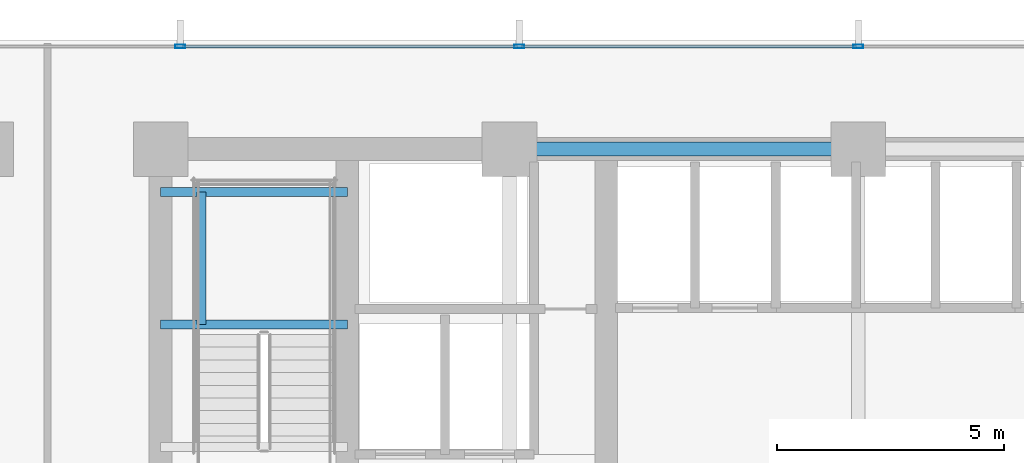
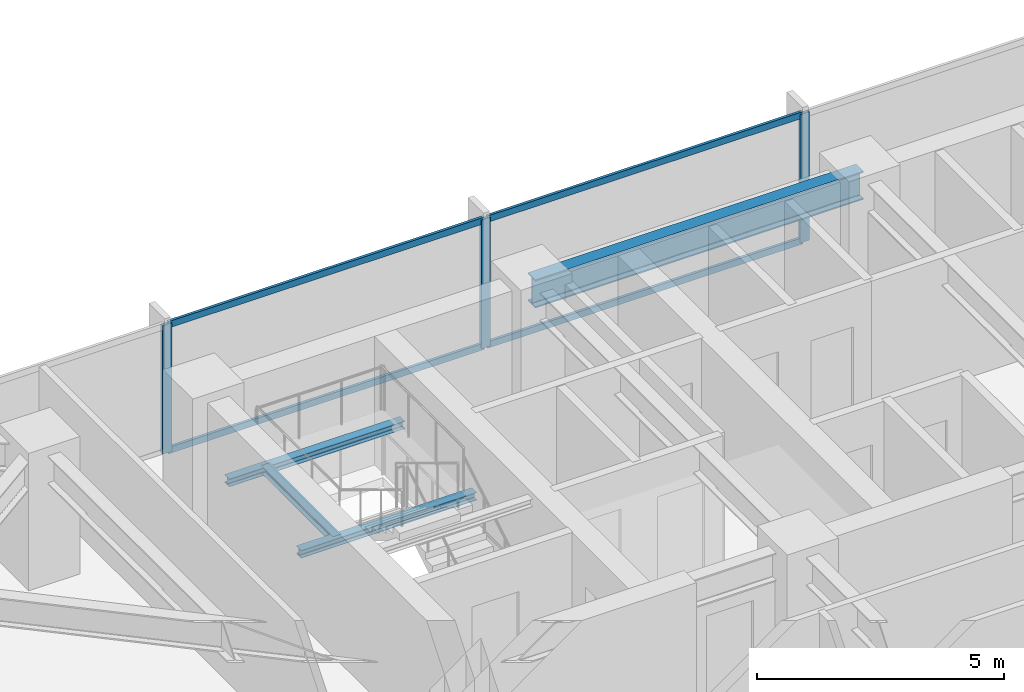
# One storey, part 18 of 33: 7 members, 4 beams, 1 element without a shape of its own.
"""IFC4 building model written with IfcOpenShell, lengths in metres."""

import ifcopenshell
import ifcopenshell.guid

model = None  # the IFC model being written
_history = None  # IfcOwnerHistory: only IFC2X3 demands one
_inside = {}  # id of a spatial element -> (the spatial element, [elements in it])
_under = {}  # id of a project, library or spatial element -> (it, [spatial elements below it])
_declared = {}  # id of a project -> (the project, [libraries it declares])
_typed = {}  # id of a type object -> (the type object, [elements of that type])
_made_of = {}  # id of a material, layer set ... -> (it, [elements and type objects made of it])


def new_model(schema):
    """Start an empty IFC model of exactly this schema.

    Asked for "IFC4X3", IfcOpenShell would pick the latest addendum, in which some entities
    have other attributes; the version numbers below select the first issue.
    IFC2X3 requires an IfcOwnerHistory on every rooted entity: one is made here for all.
    """
    global model, _history
    if schema == "IFC4X3":
        model = ifcopenshell.file(schema_version=(4, 3, 0, 0))
    else:
        model = ifcopenshell.file(schema=schema)
    _inside.clear()
    _under.clear()
    _declared.clear()
    _typed.clear()
    _made_of.clear()
    _history = None
    if model.schema == "IFC2X3":
        org = make("IfcOrganization", Name="unknown")
        user = make(
            "IfcPersonAndOrganization",
            ThePerson=make("IfcPerson", FamilyName="unknown"),
            TheOrganization=org,
        )
        app = make(
            "IfcApplication",
            ApplicationDeveloper=org,
            Version="unknown",
            ApplicationFullName="unknown",
            ApplicationIdentifier="unknown",
        )
        _history = make(
            "IfcOwnerHistory",
            OwningUser=user,
            OwningApplication=app,
            ChangeAction="ADDED",
            CreationDate=0,
        )
    return model


def make(cls, **values):
    """One entity of the class cls with the attributes given. An attribute that is None is left unset."""
    return model.create_entity(
        cls, **{name: value for name, value in values.items() if value is not None}
    )


def rooted(cls, **values):
    """An entity with a GlobalId (a new one), such as an element, a storey or a relation."""
    return make(cls, GlobalId=ifcopenshell.guid.new(), OwnerHistory=_history, **values)


def si_unit(unit_type, name, prefix=None):
    """IfcSIUnit, for example si_unit("LENGTHUNIT", "METRE", prefix="MILLI")."""
    return make("IfcSIUnit", UnitType=unit_type, Prefix=prefix, Name=name)


def assignment(units):
    """IfcUnitAssignment: the units of a project."""
    return None if units is None else make("IfcUnitAssignment", Units=units)


def point(xyz):
    """IfcCartesianPoint."""
    return None if xyz is None else make("IfcCartesianPoint", Coordinates=xyz)


def direction(xyz):
    """IfcDirection."""
    return None if xyz is None else make("IfcDirection", DirectionRatios=xyz)


def frame(location, z_axis=None, x_axis=None):
    """IfcAxis2Placement3D, a coordinate frame: its origin and axes. An axis left out is left unset."""
    return make(
        "IfcAxis2Placement3D",
        Location=point(location),
        Axis=direction(z_axis),
        RefDirection=direction(x_axis),
    )


def frame_2d(location, x_axis=None):
    """IfcAxis2Placement2D, a coordinate frame in the plane: its origin and x axis."""
    return make(
        "IfcAxis2Placement2D", Location=point(location), RefDirection=direction(x_axis)
    )


def origin():
    """The frame at (0, 0, 0) with its axes left unset."""
    return frame((0.0, 0.0, 0.0))


def origin_2d():
    """The frame at (0, 0) in the plane with its x axis left unset."""
    return frame_2d((0.0, 0.0))


def place(relative_to, where):
    """IfcLocalPlacement: puts the frame where relative to a parent placement (None: the world)."""
    return make(
        "IfcLocalPlacement", PlacementRelTo=relative_to, RelativePlacement=where
    )


def context(
    kind, dimensions, precision=None, world=None, true_north=None, identifier=None
):
    """IfcGeometricRepresentationContext, for example the 3D "Model" context."""
    return make(
        "IfcGeometricRepresentationContext",
        ContextIdentifier=identifier,
        ContextType=kind,
        CoordinateSpaceDimension=dimensions,
        Precision=precision,
        WorldCoordinateSystem=world,
        TrueNorth=true_north,
    )


def subcontext(parent, identifier, kind, view, scale=None):
    """IfcGeometricRepresentationSubContext, for example "Body" below "Model"."""
    return make(
        "IfcGeometricRepresentationSubContext",
        ContextIdentifier=identifier,
        ContextType=kind,
        ParentContext=parent,
        TargetScale=scale,
        TargetView=view,
    )


def project(units=None, contexts=None):
    """IfcProject with its units and contexts."""
    return rooted(
        "IfcProject",
        Name="project",
        RepresentationContexts=contexts,
        UnitsInContext=assignment(units),
    )


def spatial(cls, under=None, at=None, **own):
    """A site, building, storey or space (cls), placed at a placement, below another one or the project."""
    s = rooted(cls, ObjectPlacement=at, **own)
    if under is not None:
        _under.setdefault(under.id(), (under, []))[1].append(s)
    return s


def profile(cls, at=None, kind="AREA", **sizes):
    """A parametric profile (cls). Its sizes go by their IFC names, for example OverallWidth=200.0."""
    return make(cls, ProfileType=kind, Position=at, **sizes)


def hollow_rectangle(**sizes):
    """IfcRectangleHollowProfileDef."""
    return profile("IfcRectangleHollowProfileDef", **sizes)


def i_section(**sizes):
    """IfcIShapeProfileDef."""
    return profile("IfcIShapeProfileDef", **sizes)


def extrude(swept, where, along, depth):
    """IfcExtrudedAreaSolid: the profile swept, set in the frame where, extruded along a direction by depth."""
    return make(
        "IfcExtrudedAreaSolid",
        SweptArea=swept,
        Position=where,
        ExtrudedDirection=direction(along),
        Depth=depth,
    )


def shape(context_of_items, identifier, shape_type, items):
    """IfcShapeRepresentation: the items that make up one representation, for example the "Body"."""
    return make(
        "IfcShapeRepresentation",
        ContextOfItems=context_of_items,
        RepresentationIdentifier=identifier,
        RepresentationType=shape_type,
        Items=items,
    )


def material(Name=None, Category=None):
    """IfcMaterial."""
    return make("IfcMaterial", Name=Name, Category=Category)


def material_profile(
    of_material, cross_section, Name=None, Category=None, Priority=None
):
    """IfcMaterialProfile: a cross section and its material."""
    return make(
        "IfcMaterialProfile",
        Name=Name,
        Material=of_material,
        Profile=cross_section,
        Priority=Priority,
        Category=Category,
    )


def profile_set(profiles, Name=None, composite=None):
    """IfcMaterialProfileSet."""
    return make(
        "IfcMaterialProfileSet",
        Name=Name,
        MaterialProfiles=profiles,
        CompositeProfile=composite,
    )


def made_of(thing, what):
    """Note that an element or type object is made of a material, layer set ...; save() writes the relation."""
    if what is not None:
        _made_of.setdefault(what.id(), (what, []))[1].append(thing)
    return thing


def type_object(cls, material=None, **own):
    """A type object (cls), such as IfcWallType, which elements share."""
    return made_of(rooted(cls, **own), material)


def element(
    cls,
    number,
    at=None,
    inside=None,
    cuts=None,
    type_object=None,
    material=None,
    context=None,
    identifier="Body",
    shape_type=None,
    held_by="IfcProductDefinitionShape",
    body=None,
    shapes=None,
    **own,
):
    """One element of the class cls, such as IfcWall. Its Tag is "e" and its number.

    at: its placement. inside: the storey or other place that contains it. cuts: it is an
    opening in that element (IfcRelVoidsElement). A single representation is given by context,
    identifier, shape_type and body (its items); several are given by shapes. held_by: the class
    of the entity that holds the representations. save() writes the other relations.
    """
    e = rooted(cls, Tag="e%d" % number, ObjectPlacement=at, **own)
    if body is not None:
        shapes = [shape(context, identifier, shape_type, body)]
    if shapes is not None:
        e.Representation = make(held_by, Representations=shapes)
    if inside is not None:
        _inside.setdefault(inside.id(), (inside, []))[1].append(e)
    if cuts is not None:
        rooted(
            "IfcRelVoidsElement", RelatingBuildingElement=cuts, RelatedOpeningElement=e
        )
    if type_object is not None:
        _typed.setdefault(type_object.id(), (type_object, []))[1].append(e)
    return made_of(e, material)


def aggregate(whole, parts):
    """IfcRelAggregates: a whole, such as a stair, and the parts it consists of."""
    return rooted("IfcRelAggregates", RelatingObject=whole, RelatedObjects=parts)


def save(model, path):
    """Write the relations noted so far, then the file.

    IfcRelAggregates (storeys below a building ...), IfcRelContainedInSpatialStructure (elements
    in a storey), IfcRelDefinesByType, IfcRelAssociatesMaterial and IfcRelDeclares: one each for
    every whole, place, type object, material and project.
    """
    for whole, parts in _under.values():
        aggregate(whole, parts)
    for where, things in _inside.values():
        rooted(
            "IfcRelContainedInSpatialStructure",
            RelatedElements=things,
            RelatingStructure=where,
        )
    for kind, things in _typed.values():
        rooted("IfcRelDefinesByType", RelatedObjects=things, RelatingType=kind)
    for what, things in _made_of.values():
        rooted("IfcRelAssociatesMaterial", RelatedObjects=things, RelatingMaterial=what)
    for by, libraries in _declared.values():
        rooted("IfcRelDeclares", RelatingContext=by, RelatedDefinitions=libraries)
    model.write(path)


model = new_model("IFC4")

# Units and contexts
model_context = context("Model", 3, precision=1e-05, world=origin(), true_north=direction((0.0, 1.0)))
body_context = subcontext(model_context, "Body", "Model", "MODEL_VIEW")
ifc_project = project(units=[si_unit("LENGTHUNIT", "METRE"), si_unit("AREAUNIT", "SQUARE_METRE"), si_unit("VOLUMEUNIT", "CUBIC_METRE"), si_unit("PLANEANGLEUNIT", "RADIAN"), si_unit("MASSUNIT", "GRAM", prefix="KILO")], contexts=[model_context])

# Site, building, storey
site_placement = place(None, origin())
site = spatial("IfcSite", under=ifc_project, at=site_placement, CompositionType="ELEMENT")
building_placement = place(site_placement, origin())
building = spatial("IfcBuilding", under=site, at=building_placement, Name="Yelkora Congress Tower", CompositionType="ELEMENT")
storey_placement = place(building_placement, frame((0.0, 0.0, 64.39990234375)))
storey = spatial("IfcBuildingStorey", under=building, at=storey_placement, Name="L16", CompositionType="ELEMENT", Elevation=64.39990234375)

# Beams
ifc_material_1 = material(Name="Steel S355J2", Category="steel")
ifc_material_profile_1 = material_profile(ifc_material_1, i_section(OverallWidth=0.300048828125, OverallDepth=0.699951171875, WebThickness=0.01708984375, FlangeThickness=0.031982421875, FilletRadius=0.027099609375, at=origin_2d()), Name="HEB 700")
ifc_profile_set_1 = profile_set([ifc_material_profile_1], Name="Steel S355J2")
beam_type_1 = type_object("IfcBeamType", Name="BM-GIRD-HEB700", PredefinedType="BEAM", material=ifc_profile_set_1)
beam_1_placement = place(storey_placement, frame((30.719970703125, 46.199951171875, 2.830078125), z_axis=(1.0, 0.0, 0.0), x_axis=(0.0, 1.0, 0.0)))
element("IfcBeam", 1, at=beam_1_placement, inside=storey, type_object=beam_type_1, Name="L16 Core North Girder 3", PredefinedType="BEAM", context=body_context, shape_type="SweptSolid", body=[
    extrude(i_section(OverallWidth=0.300048828125, OverallDepth=0.699951171875, WebThickness=0.01708984375, FlangeThickness=0.031982421875, FilletRadius=0.027099609375, at=origin_2d()), origin(), (0.0, 0.0, 1.0), 7.679931640625),
])
ifc_material_profile_2 = material_profile(ifc_material_1, i_section(OverallWidth=0.199951171875, OverallDepth=0.18994140625, WebThickness=0.006591796875, FlangeThickness=0.010009765625, FilletRadius=0.01806640625, at=origin_2d()), Name="HEA 200")
ifc_profile_set_2 = profile_set([ifc_material_profile_2], Name="Steel S355J2")
beam_type_2 = type_object("IfcBeamType", Name="BM-LAND-HEA200", PredefinedType="BEAM", material=ifc_profile_set_2)
for number, where, z_axis, x_axis, name in (
    (2, (23.0400390625, 42.340087890625, 1.384765625), (1.0, 0.0, 0.0), (0.0, 1.0, 0.0), "ST-01 L16 Landing Header Beam 1S"),
    (3, (23.0400390625, 45.25, 1.384765625), (1.0, 0.0, 0.0), (0.0, 1.0, 0.0), "ST-01 L16 Landing Header Beam 1N"),
):
    element("IfcBeam", number, at=place(storey_placement, frame(where, z_axis=z_axis, x_axis=x_axis)), inside=storey, type_object=beam_type_2, Name=name, PredefinedType="BEAM", context=body_context, shape_type="SweptSolid", body=[
        extrude(i_section(OverallWidth=0.199951171875, OverallDepth=0.18994140625, WebThickness=0.006591796875, FlangeThickness=0.010009765625, FilletRadius=0.01806640625, at=origin_2d()), origin(), (0.0, 0.0, 1.0), 4.10986328125),
    ])
beam_2_placement = place(storey_placement, frame((23.93994140625, 42.340087890625, 1.384765625), z_axis=(0.0, 1.0, 0.0), x_axis=(-1.0, 0.0, 0.0)))
element("IfcBeam", 4, at=beam_2_placement, inside=storey, type_object=beam_type_2, Name="ST-01 L16 Landing Trimmer Beam 1M", PredefinedType="BEAM", context=body_context, shape_type="SweptSolid", body=[
    extrude(i_section(OverallWidth=0.199951171875, OverallDepth=0.18994140625, WebThickness=0.006591796875, FlangeThickness=0.010009765625, FilletRadius=0.01806640625, at=origin_2d()), origin(), (0.0, 0.0, 1.0), 2.909912109375),
])

# Curtain wall, members
ifc_material_2 = material(Name="Anodised aluminium and insulated glass", Category="aluminium")
curtain_wall_type = type_object("IfcCurtainWallType", Name="CW-SYS-B1", PredefinedType="NOTDEFINED", material=ifc_material_2)
curtain_wall_placement = place(storey_placement, origin())
curtain_wall = element("IfcCurtainWall", 5, at=curtain_wall_placement, inside=storey, type_object=curtain_wall_type, Name="L16 Unitised Curtain Wall 10", PredefinedType="NOTDEFINED")
ifc_material_3 = material(Name="Anodised aluminium 6063-T6", Category="aluminium")
ifc_material_profile_3 = material_profile(ifc_material_3, hollow_rectangle(XDim=0.074951171875, YDim=0.219970703125, WallThickness=0.0048828125, at=origin_2d()), Name="ALU 75x220x5")
ifc_profile_set_3 = profile_set([ifc_material_profile_3], Name="Anodised aluminium 6063-T6")
member_type_1 = type_object("IfcMemberType", Name="MEM-ML-B1", PredefinedType="MULLION", material=ifc_profile_set_3)
member_1_placement = place(storey_placement, frame((23.469970703125, 48.4599609375, 0.0), z_axis=(0.0, 0.0, 1.0), x_axis=(0.0, 1.0, 0.0)))
member_1 = element("IfcMember", 6, at=member_1_placement, type_object=member_type_1, Name="CW-B1 mullion 3", PredefinedType="MULLION", context=body_context, shape_type="SweptSolid", body=[
    extrude(hollow_rectangle(XDim=0.074951171875, YDim=0.219970703125, WallThickness=0.0048828125, at=origin_2d()), origin(), (0.0, 0.0, 1.0), 3.18017578125),
])
member_2_placement = place(storey_placement, frame((30.93505859375, 48.4599609375, 0.0), z_axis=(0.0, 0.0, 1.0), x_axis=(0.0, 1.0, 0.0)))
member_2 = element("IfcMember", 7, at=member_2_placement, type_object=member_type_1, Name="CW-B1 mullion 4", PredefinedType="MULLION", context=body_context, shape_type="SweptSolid", body=[
    extrude(hollow_rectangle(XDim=0.074951171875, YDim=0.219970703125, WallThickness=0.0048828125, at=origin_2d()), origin(), (0.0, 0.0, 1.0), 3.18017578125),
])
member_3_placement = place(storey_placement, frame((38.39990234375, 48.4599609375, 0.0), z_axis=(0.0, 0.0, 1.0), x_axis=(0.0, 1.0, 0.0)))
member_3 = element("IfcMember", 8, at=member_3_placement, type_object=member_type_1, Name="CW-B1 mullion 5", PredefinedType="MULLION", context=body_context, shape_type="SweptSolid", body=[
    extrude(hollow_rectangle(XDim=0.074951171875, YDim=0.219970703125, WallThickness=0.0048828125, at=origin_2d()), origin(), (0.0, 0.0, 1.0), 3.18017578125),
])
ifc_material_profile_4 = material_profile(ifc_material_3, hollow_rectangle(XDim=0.06494140625, YDim=0.159912109375, WallThickness=0.00390625, at=origin_2d()), Name="ALU 65x160x4")
ifc_profile_set_4 = profile_set([ifc_material_profile_4], Name="Anodised aluminium 6063-T6")
member_type_2 = type_object("IfcMemberType", Name="MEM-TR-B1", PredefinedType="USERDEFINED", material=ifc_profile_set_4)
member_4_placement = place(storey_placement, frame((23.507568359375, 48.4599609375, 0.03271484375), z_axis=(1.0, 0.0, 0.0), x_axis=(0.0, 1.0, 0.0)))
member_4 = element("IfcMember", 9, at=member_4_placement, type_object=member_type_2, Name="CW-B1 transom 3.1", ObjectType="TRANSOM", PredefinedType="USERDEFINED", context=body_context, shape_type="SweptSolid", body=[
    extrude(hollow_rectangle(XDim=0.06494140625, YDim=0.159912109375, WallThickness=0.00390625, at=origin_2d()), origin(), (0.0, 0.0, 1.0), 7.389892578125),
])
member_5_placement = place(storey_placement, frame((23.507568359375, 48.4599609375, 3.147705078125), z_axis=(1.0, 0.0, 0.0), x_axis=(0.0, 1.0, 0.0)))
member_5 = element("IfcMember", 10, at=member_5_placement, type_object=member_type_2, Name="CW-B1 transom 3.2", ObjectType="TRANSOM", PredefinedType="USERDEFINED", context=body_context, shape_type="SweptSolid", body=[
    extrude(hollow_rectangle(XDim=0.06494140625, YDim=0.159912109375, WallThickness=0.00390625, at=origin_2d()), origin(), (0.0, 0.0, 1.0), 7.389892578125),
])
member_6_placement = place(storey_placement, frame((30.972412109375, 48.4599609375, 0.03271484375), z_axis=(1.0, 0.0, 0.0), x_axis=(0.0, 1.0, 0.0)))
member_6 = element("IfcMember", 11, at=member_6_placement, type_object=member_type_2, Name="CW-B1 transom 4.1", ObjectType="TRANSOM", PredefinedType="USERDEFINED", context=body_context, shape_type="SweptSolid", body=[
    extrude(hollow_rectangle(XDim=0.06494140625, YDim=0.159912109375, WallThickness=0.00390625, at=origin_2d()), origin(), (0.0, 0.0, 1.0), 7.39013671875),
])
member_7_placement = place(storey_placement, frame((30.972412109375, 48.4599609375, 3.147705078125), z_axis=(1.0, 0.0, 0.0), x_axis=(0.0, 1.0, 0.0)))
member_7 = element("IfcMember", 12, at=member_7_placement, type_object=member_type_2, Name="CW-B1 transom 4.2", ObjectType="TRANSOM", PredefinedType="USERDEFINED", context=body_context, shape_type="SweptSolid", body=[
    extrude(hollow_rectangle(XDim=0.06494140625, YDim=0.159912109375, WallThickness=0.00390625, at=origin_2d()), origin(), (0.0, 0.0, 1.0), 7.39013671875),
])
aggregate(curtain_wall, [member_1, member_2, member_3, member_4, member_5, member_6, member_7])

save(model, "model.ifc")
